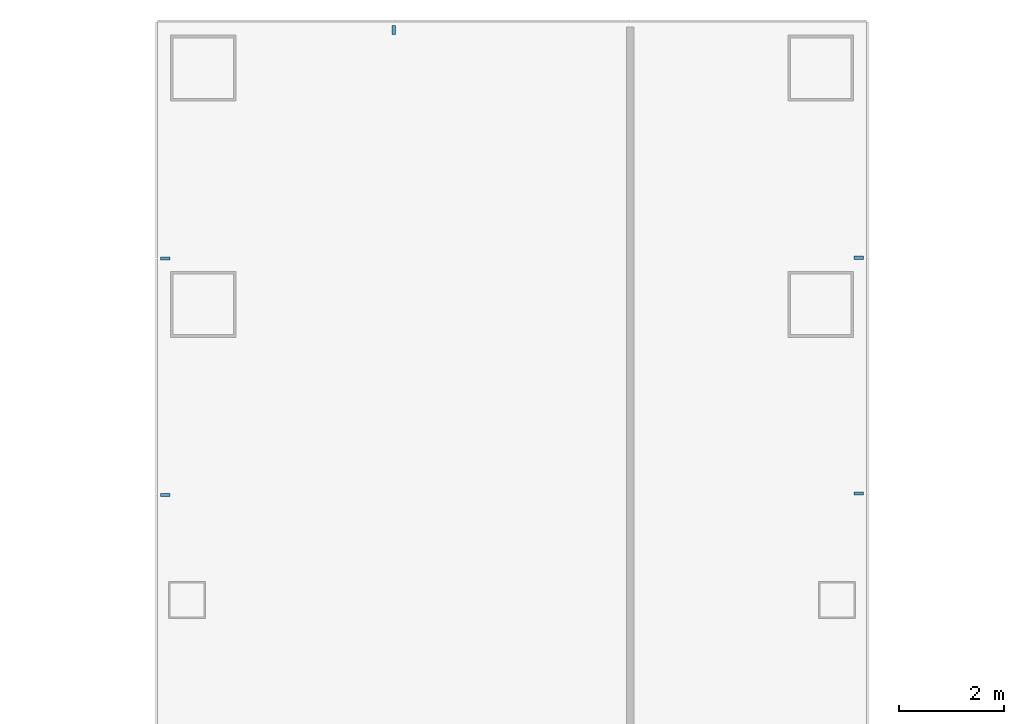
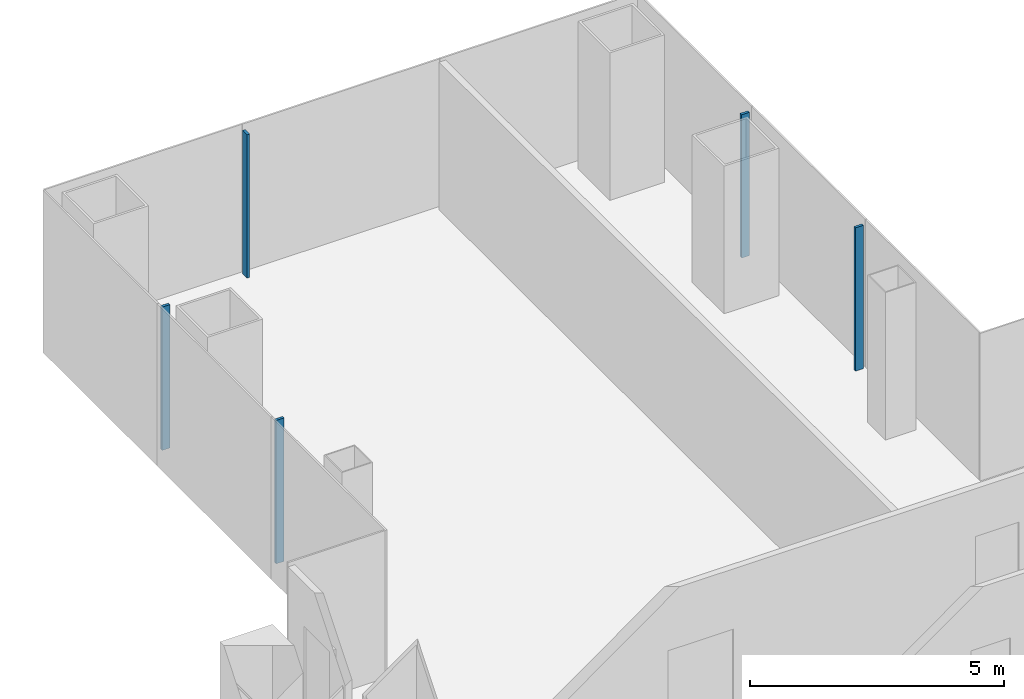
# One storey, part 7 of 19: 5 members, 3 elements without a shape of their own.
"""IFC4 building model written with IfcOpenShell, lengths in metres."""

from ifc_helpers import new_model, si_unit, direction, frame, origin, origin_2d, place, context, subcontext, project, spatial, rectangle, extrude, material, layer, layer_set, material_profile, profile_set, type_object, element, aggregate, save


model = new_model("IFC4")

# Units and contexts
model_context = context("Model", 3, precision=1e-05, world=origin(), true_north=direction((0.0, 1.0)))
body_context = subcontext(model_context, "Body", "Model", "MODEL_VIEW")
ifc_project = project(units=[si_unit("LENGTHUNIT", "METRE"), si_unit("AREAUNIT", "SQUARE_METRE"), si_unit("VOLUMEUNIT", "CUBIC_METRE"), si_unit("PLANEANGLEUNIT", "RADIAN"), si_unit("MASSUNIT", "GRAM", prefix="KILO")], contexts=[model_context])

# Site, building, storey
site_placement = place(None, origin())
site = spatial("IfcSite", under=ifc_project, at=site_placement, CompositionType="ELEMENT")
building_placement = place(site_placement, origin())
building = spatial("IfcBuilding", under=site, at=building_placement, Name="Shamsa Quay Exchange Towers", CompositionType="ELEMENT")
storey_placement = place(building_placement, frame((0.0, 0.0, 89.699951171875)))
storey = spatial("IfcBuildingStorey", under=building, at=storey_placement, Name="L20", CompositionType="ELEMENT", Elevation=89.699951171875)

# Curtain wall, members
ifc_material = material(Name="Aluminium EN AW-6063 T6, black anodised", Category="aluminium")
ifc_layer = layer(ifc_material, 0.280029296875)
ifc_layer_set = layer_set([ifc_layer], Name="CW-1 UNITISED VISION GLASS")
curtain_wall_type = type_object("IfcCurtainWallType", Name="CW-1 UNITISED VISION GLASS", PredefinedType="NOTDEFINED", material=ifc_layer_set)
curtain_wall_1_placement = place(storey_placement, origin())
curtain_wall_1 = element("IfcCurtainWall", 1, at=curtain_wall_1_placement, inside=storey, type_object=curtain_wall_type, Name="CW1 T2-FLK-U+S L20", PredefinedType="NOTDEFINED")
ifc_material_profile = material_profile(ifc_material, rectangle(XDim=0.179931640625, YDim=0.06005859375, at=origin_2d()), Name="MU60x180")
ifc_profile_set = profile_set([ifc_material_profile], Name="Aluminium EN AW-6063 T6, black anodised")
member_type = type_object("IfcMemberType", Name="CW1 MULLION 60x180", PredefinedType="MULLION", material=ifc_profile_set)
member_1_placement = place(storey_placement, frame((40.35009765625, 15.775390625, 0.0), z_axis=(0.0, 0.0, 1.0), x_axis=(-1.0, 0.0, 0.0)))
member_1 = element("IfcMember", 2, at=member_1_placement, type_object=member_type, Name="CW1 mullion", PredefinedType="MULLION", context=body_context, shape_type="SweptSolid", body=[
    extrude(rectangle(XDim=0.179931640625, YDim=0.06005859375, at=origin_2d()), origin(), (0.0, 0.0, 1.0), 3.449951171875),
])
member_2_placement = place(storey_placement, frame((40.35009765625, 20.2626953125, 0.0), z_axis=(0.0, 0.0, 1.0), x_axis=(-1.0, 0.0, 0.0)))
member_2 = element("IfcMember", 3, at=member_2_placement, type_object=member_type, Name="CW1 mullion", PredefinedType="MULLION", context=body_context, shape_type="SweptSolid", body=[
    extrude(rectangle(XDim=0.179931640625, YDim=0.06005859375, at=origin_2d()), origin(), (0.0, 0.0, 1.0), 3.449951171875),
])
aggregate(curtain_wall_1, [member_1, member_2])

# Curtain wall, member
curtain_wall_2_placement = place(storey_placement, origin())
curtain_wall_2 = element("IfcCurtainWall", 4, at=curtain_wall_2_placement, inside=storey, type_object=curtain_wall_type, Name="CW1 T2-END-U+ L20", PredefinedType="NOTDEFINED")
member_3_placement = place(storey_placement, frame((31.5, 24.60009765625, 0.0), z_axis=(0.0, 0.0, 1.0), x_axis=(0.0, -1.0, 0.0)))
member_3 = element("IfcMember", 5, at=member_3_placement, type_object=member_type, Name="CW1 mullion", PredefinedType="MULLION", context=body_context, shape_type="SweptSolid", body=[
    extrude(rectangle(XDim=0.179931640625, YDim=0.06005859375, at=origin_2d()), origin(), (0.0, 0.0, 1.0), 3.449951171875),
])
aggregate(curtain_wall_2, [member_3])

# Curtain wall, members
curtain_wall_3_placement = place(storey_placement, origin())
curtain_wall_3 = element("IfcCurtainWall", 6, at=curtain_wall_3_placement, inside=storey, type_object=curtain_wall_type, Name="CW1 T2-FLK-U+N L20", PredefinedType="NOTDEFINED")
member_4_placement = place(storey_placement, frame((27.14990234375, 20.25, 0.0)))
member_4 = element("IfcMember", 7, at=member_4_placement, type_object=member_type, Name="CW1 mullion", PredefinedType="MULLION", context=body_context, shape_type="SweptSolid", body=[
    extrude(rectangle(XDim=0.179931640625, YDim=0.06005859375, at=origin_2d()), origin(), (0.0, 0.0, 1.0), 3.449951171875),
])
member_5_placement = place(storey_placement, frame((27.14990234375, 15.75, 0.0)))
member_5 = element("IfcMember", 8, at=member_5_placement, type_object=member_type, Name="CW1 mullion", PredefinedType="MULLION", context=body_context, shape_type="SweptSolid", body=[
    extrude(rectangle(XDim=0.179931640625, YDim=0.06005859375, at=origin_2d()), origin(), (0.0, 0.0, 1.0), 3.449951171875),
])
aggregate(curtain_wall_3, [member_4, member_5])

save(model, "model.ifc")
